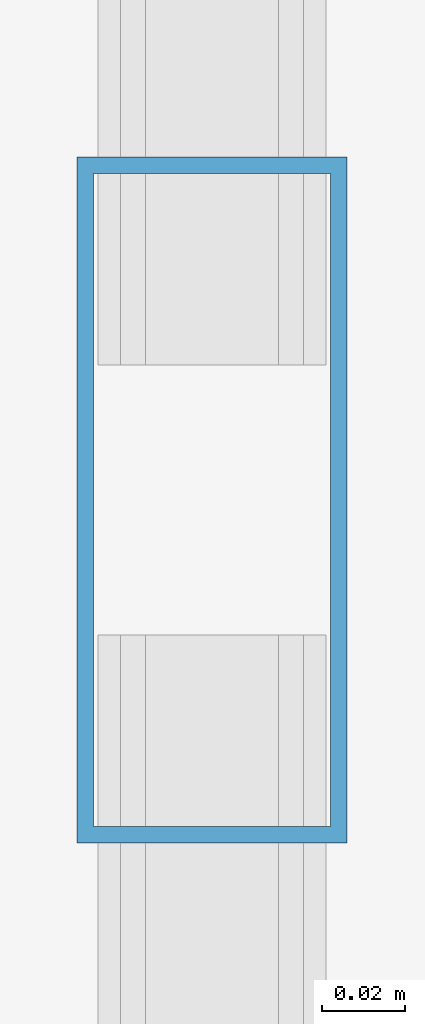
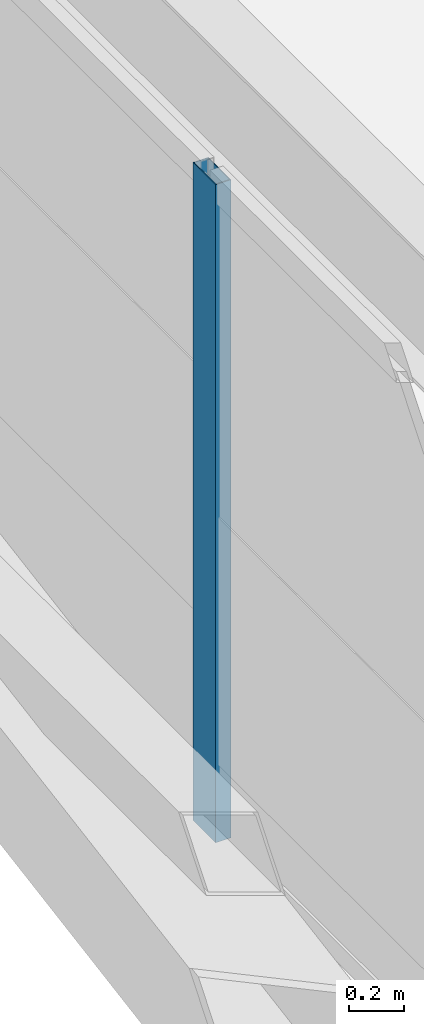
# One storey, part 8 of 59: 1 member, 1 element without a shape of its own.
"""IFC4 building model written with IfcOpenShell, lengths in metres."""

from ifc_helpers import new_model, si_unit, direction, frame, origin, origin_2d, place, context, subcontext, project, spatial, hollow_rectangle, extrude, source, transform, mapped, material, layer, layer_set, material_profile, profile_set, type_object, element, aggregate, save


model = new_model("IFC4")

# Units and contexts
model_context = context("Model", 3, precision=1e-05, world=origin(), true_north=direction((0.0, 1.0)))
body_context = subcontext(model_context, "Body", "Model", "MODEL_VIEW")
ifc_project = project(units=[si_unit("LENGTHUNIT", "METRE"), si_unit("AREAUNIT", "SQUARE_METRE"), si_unit("VOLUMEUNIT", "CUBIC_METRE"), si_unit("PLANEANGLEUNIT", "RADIAN"), si_unit("MASSUNIT", "GRAM", prefix="KILO")], contexts=[model_context])

# Site, building, storey
site_placement = place(None, origin())
site = spatial("IfcSite", under=ifc_project, at=site_placement, CompositionType="ELEMENT")
building_placement = place(site_placement, origin())
building = spatial("IfcBuilding", under=site, at=building_placement, Name="Taldren Reach Tower", CompositionType="ELEMENT")
storey_placement = place(building_placement, frame((0.0, 0.0, 48.300048828125)))
storey = spatial("IfcBuildingStorey", under=building, at=storey_placement, Name="L14", CompositionType="ELEMENT", Elevation=48.300048828125)

# Curtain wall, member
ifc_material_1 = material(Name="Aluminium and Low-E Glass Unitised System", Category="aluminium")
ifc_layer = layer(ifc_material_1, 0.159912109375)
ifc_layer_set = layer_set([ifc_layer], Name="Aluminium and Low-E Glass Unitised System")
curtain_wall_type = type_object("IfcCurtainWallType", Name="CW-SYS-2", PredefinedType="NOTDEFINED", material=ifc_layer_set)
curtain_wall_placement = place(storey_placement, origin())
curtain_wall = element("IfcCurtainWall", 1, at=curtain_wall_placement, inside=storey, type_object=curtain_wall_type, Name="Unitised curtain wall CW-L14-W", PredefinedType="NOTDEFINED")
ifc_material_2 = material(Name="Anodised Aluminium 6063-T6", Category="aluminium")
ifc_material_profile = material_profile(ifc_material_2, hollow_rectangle(XDim=0.06494140625, YDim=0.1650390625, WallThickness=0.00390625, at=origin_2d()), Name="ALU-165x65x4RHS")
ifc_profile_set = profile_set([ifc_material_profile], Name="Anodised Aluminium 6063-T6")
member_type = type_object("IfcMemberType", Name="CW-MUL-165", PredefinedType="MULLION", material=ifc_profile_set)
shared_shape = source(origin(), body_context, "Body", "SweptSolid", [
    extrude(hollow_rectangle(XDim=0.06494140625, YDim=0.1650390625, WallThickness=0.00390625, at=origin_2d()), origin(), (0.0, 0.0, 1.0), 2.929931640625),
])
member_placement = place(storey_placement, frame((5.139892578125, 11.388916015625, 0.0), z_axis=(0.0, 0.0, 1.0), x_axis=(1.0, 0.0, 0.0)))
member = element("IfcMember", 2, at=member_placement, type_object=member_type, Name="CW-2 mullion 8", PredefinedType="MULLION", context=body_context, shape_type="MappedRepresentation", body=[
    mapped(shared_shape, transform((0.0, 0.0, 0.0), scale=1.0)),
])
aggregate(curtain_wall, [member])

save(model, "model.ifc")
